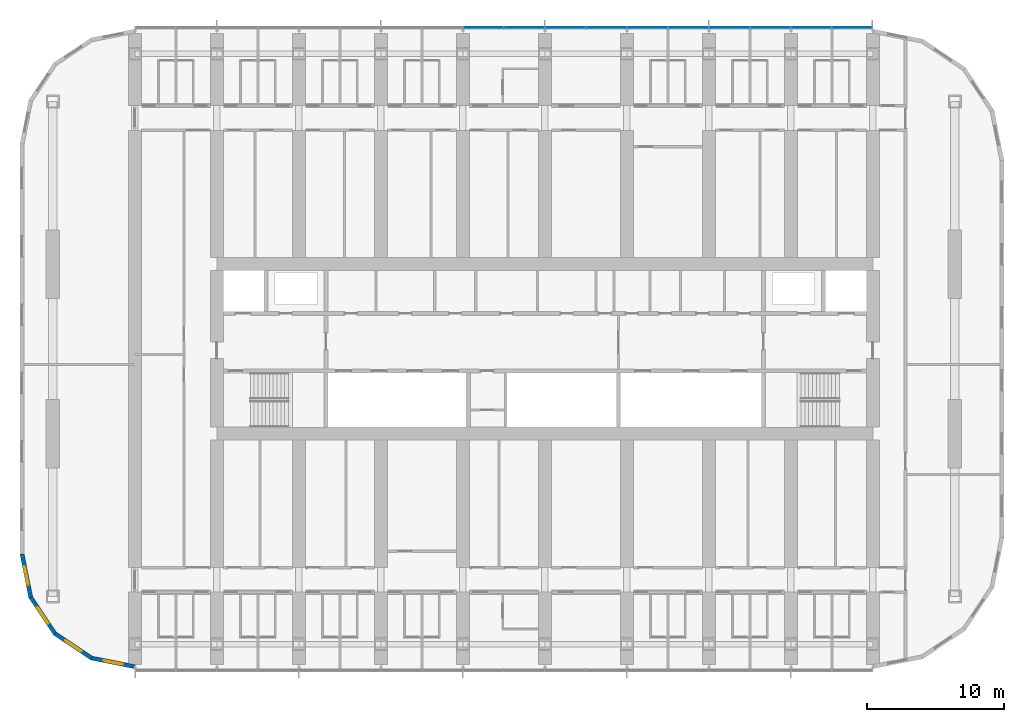
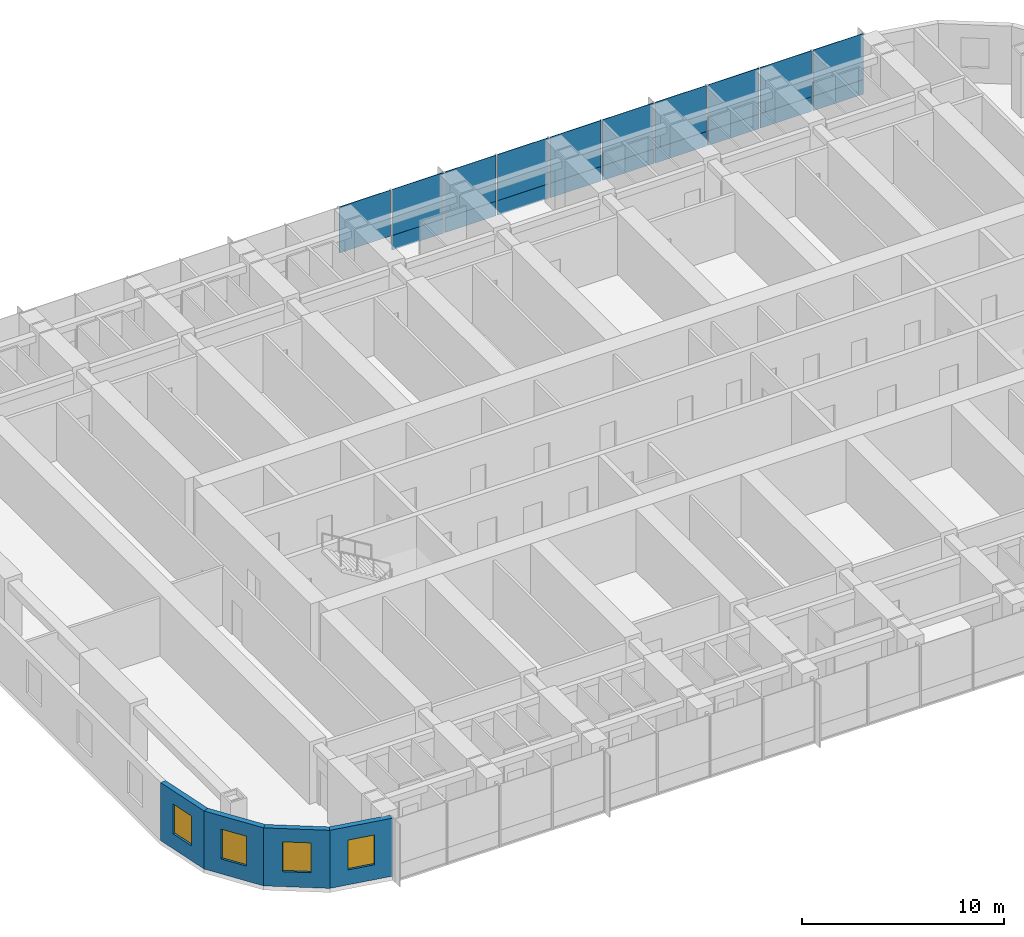
# One storey, part 7 of 22: 19 plates, 4 walls, 4 windows, 4 openings, 1 element without a shape of its own.
"""IFC4 building model written with IfcOpenShell, lengths in metres."""

from ifc_helpers import new_model, si_unit, direction, frame, frame_2d, origin, origin_2d, place, context, subcontext, project, spatial, polyline, rectangle, outline, extrude, material, layer, layer_set, type_object, element, fill, aggregate, save


model = new_model("IFC4")

# Units and contexts
model_context = context("Model", 3, precision=1e-05, world=origin(), true_north=direction((0.0, 1.0)))
body_context = subcontext(model_context, "Body", "Model", "MODEL_VIEW")
ifc_project = project(units=[si_unit("LENGTHUNIT", "METRE"), si_unit("AREAUNIT", "SQUARE_METRE"), si_unit("VOLUMEUNIT", "CUBIC_METRE"), si_unit("PLANEANGLEUNIT", "RADIAN"), si_unit("MASSUNIT", "GRAM", prefix="KILO")], contexts=[model_context])

# Site, building, storey
site_placement = place(None, origin())
site = spatial("IfcSite", under=ifc_project, at=site_placement, CompositionType="ELEMENT")
building_placement = place(site_placement, origin())
building = spatial("IfcBuilding", under=site, at=building_placement, Name="Orbita Commons", CompositionType="ELEMENT")
storey_placement = place(building_placement, frame((0.0, 0.0, 121.89990234375)))
storey = spatial("IfcBuildingStorey", under=building, at=storey_placement, Name="L30", CompositionType="ELEMENT", Elevation=121.89990234375)

# Curtain wall, plates
ifc_material_1 = material(Name="Anodised aluminium frame, pale silver", Category="aluminium")
curtain_wall_type = type_object("IfcCurtainWallType", Name="Unitised curtain wall CW-T, vision and spandrel", PredefinedType="NOTDEFINED", material=ifc_material_1)
curtain_wall_placement = place(storey_placement, origin())
curtain_wall = element("IfcCurtainWall", 1, at=curtain_wall_placement, inside=storey, type_object=curtain_wall_type, Name="Curtain wall north L30", PredefinedType="NOTDEFINED")
ifc_material_2 = material(Name="Anodised aluminium sheet on mineral wool", Category="aluminium")
ifc_layer_1 = layer(ifc_material_2, 0.050048828125)
ifc_layer_set_1 = layer_set([ifc_layer_1], Name="Anodised aluminium sheet on mineral wool")
plate_type_1 = type_object("IfcPlateType", Name="Spandrel panel, pale aluminium over insulation 50", PredefinedType="CURTAIN_PANEL", material=ifc_layer_set_1)
plate_1_placement = place(storey_placement, frame((64.47998046875, 55.510009765625, -0.14990234375), z_axis=(0.0, 0.0, 1.0), x_axis=(-1.0, 0.0, 0.0)))
plate_1 = element("IfcPlate", 2, at=plate_1_placement, type_object=plate_type_1, Name="Panel 1.1 CW-L30-N", PredefinedType="CURTAIN_PANEL", context=body_context, shape_type="SweptSolid", body=[
    extrude(rectangle(XDim=2.8798828125, YDim=0.050048828125, at=origin_2d()), origin(), (0.0, 0.0, 1.0), 0.875),
])
plate_2_placement = place(storey_placement, frame((61.5, 55.510009765625, -0.14990234375), z_axis=(0.0, 0.0, 1.0), x_axis=(-1.0, 0.0, 0.0)))
plate_2 = element("IfcPlate", 3, at=plate_2_placement, type_object=plate_type_1, Name="Panel 2.1 CW-L30-N", PredefinedType="CURTAIN_PANEL", context=body_context, shape_type="SweptSolid", body=[
    extrude(rectangle(XDim=2.919921875, YDim=0.050048828125, at=origin_2d()), origin(), (0.0, 0.0, 1.0), 0.875),
])
plate_3_placement = place(storey_placement, frame((58.5, 55.510009765625, -0.14990234375), z_axis=(0.0, 0.0, 1.0), x_axis=(-1.0, 0.0, 0.0)))
plate_3 = element("IfcPlate", 4, at=plate_3_placement, type_object=plate_type_1, Name="Panel 3.1 CW-L30-N", PredefinedType="CURTAIN_PANEL", context=body_context, shape_type="SweptSolid", body=[
    extrude(rectangle(XDim=2.919921875, YDim=0.050048828125, at=origin_2d()), origin(), (0.0, 0.0, 1.0), 0.875),
])
plate_4_placement = place(storey_placement, frame((55.5, 55.510009765625, -0.14990234375), z_axis=(0.0, 0.0, 1.0), x_axis=(-1.0, 0.0, 0.0)))
plate_4 = element("IfcPlate", 5, at=plate_4_placement, type_object=plate_type_1, Name="Panel 4.1 CW-L30-N", PredefinedType="CURTAIN_PANEL", context=body_context, shape_type="SweptSolid", body=[
    extrude(rectangle(XDim=2.919921875, YDim=0.050048828125, at=origin_2d()), origin(), (0.0, 0.0, 1.0), 0.875),
])
plate_5_placement = place(storey_placement, frame((52.5, 55.510009765625, -0.14990234375), z_axis=(0.0, 0.0, 1.0), x_axis=(-1.0, 0.0, 0.0)))
plate_5 = element("IfcPlate", 6, at=plate_5_placement, type_object=plate_type_1, Name="Panel 5.1 CW-L30-N", PredefinedType="CURTAIN_PANEL", context=body_context, shape_type="SweptSolid", body=[
    extrude(rectangle(XDim=2.919921875, YDim=0.050048828125, at=origin_2d()), origin(), (0.0, 0.0, 1.0), 0.875),
])
plate_6_placement = place(storey_placement, frame((49.5, 55.510009765625, -0.14990234375), z_axis=(0.0, 0.0, 1.0), x_axis=(-1.0, 0.0, 0.0)))
plate_6 = element("IfcPlate", 7, at=plate_6_placement, type_object=plate_type_1, Name="Panel 6.1 CW-L30-N", PredefinedType="CURTAIN_PANEL", context=body_context, shape_type="SweptSolid", body=[
    extrude(rectangle(XDim=2.919921875, YDim=0.050048828125, at=origin_2d()), origin(), (0.0, 0.0, 1.0), 0.875),
])
plate_7_placement = place(storey_placement, frame((46.5, 55.510009765625, -0.14990234375), z_axis=(0.0, 0.0, 1.0), x_axis=(-1.0, 0.0, 0.0)))
plate_7 = element("IfcPlate", 8, at=plate_7_placement, type_object=plate_type_1, Name="Panel 7.1 CW-L30-N", PredefinedType="CURTAIN_PANEL", context=body_context, shape_type="SweptSolid", body=[
    extrude(rectangle(XDim=2.919921875, YDim=0.050048828125, at=origin_2d()), origin(), (0.0, 0.0, 1.0), 0.875),
])
plate_8_placement = place(storey_placement, frame((43.5, 55.510009765625, -0.14990234375), z_axis=(0.0, 0.0, 1.0), x_axis=(-1.0, 0.0, 0.0)))
plate_8 = element("IfcPlate", 9, at=plate_8_placement, type_object=plate_type_1, Name="Panel 8.1 CW-L30-N", PredefinedType="CURTAIN_PANEL", context=body_context, shape_type="SweptSolid", body=[
    extrude(rectangle(XDim=2.919921875, YDim=0.050048828125, at=origin_2d()), origin(), (0.0, 0.0, 1.0), 0.875),
])
plate_9_placement = place(storey_placement, frame((40.5, 55.510009765625, -0.14990234375), z_axis=(0.0, 0.0, 1.0), x_axis=(-1.0, 0.0, 0.0)))
plate_9 = element("IfcPlate", 10, at=plate_9_placement, type_object=plate_type_1, Name="Panel 9.1 CW-L30-N", PredefinedType="CURTAIN_PANEL", context=body_context, shape_type="SweptSolid", body=[
    extrude(rectangle(XDim=2.919921875, YDim=0.050048828125, at=origin_2d()), origin(), (0.0, 0.0, 1.0), 0.875),
])
ifc_material_3 = material(Name="Clear double glazing", Category="glass")
ifc_layer_2 = layer(ifc_material_3, 0.031982421875)
ifc_layer_set_2 = layer_set([ifc_layer_2], Name="Clear double glazing")
plate_type_2 = type_object("IfcPlateType", Name="Vision panel, clear double glazing 32", PredefinedType="CURTAIN_PANEL", material=ifc_layer_set_2)
plate_10_placement = place(storey_placement, frame((64.47998046875, 55.510009765625, 0.72509765625), z_axis=(0.0, 0.0, 1.0), x_axis=(-1.0, 0.0, 0.0)))
plate_10 = element("IfcPlate", 11, at=plate_10_placement, type_object=plate_type_2, Name="Panel 1.2 CW-L30-N", PredefinedType="CURTAIN_PANEL", context=body_context, shape_type="SweptSolid", body=[
    extrude(rectangle(XDim=2.8798828125, YDim=0.031982421875, at=origin_2d()), origin(), (0.0, 0.0, 1.0), 2.77490234375),
])
plate_11_placement = place(storey_placement, frame((61.5, 55.510009765625, 0.72509765625), z_axis=(0.0, 0.0, 1.0), x_axis=(-1.0, 0.0, 0.0)))
plate_11 = element("IfcPlate", 12, at=plate_11_placement, type_object=plate_type_2, Name="Panel 2.2 CW-L30-N", PredefinedType="CURTAIN_PANEL", context=body_context, shape_type="SweptSolid", body=[
    extrude(rectangle(XDim=2.919921875, YDim=0.031982421875, at=origin_2d()), origin(), (0.0, 0.0, 1.0), 2.77490234375),
])
plate_12_placement = place(storey_placement, frame((58.5, 55.510009765625, 0.72509765625), z_axis=(0.0, 0.0, 1.0), x_axis=(-1.0, 0.0, 0.0)))
plate_12 = element("IfcPlate", 13, at=plate_12_placement, type_object=plate_type_2, Name="Panel 3.2 CW-L30-N", PredefinedType="CURTAIN_PANEL", context=body_context, shape_type="SweptSolid", body=[
    extrude(rectangle(XDim=2.919921875, YDim=0.031982421875, at=origin_2d()), origin(), (0.0, 0.0, 1.0), 2.77490234375),
])
plate_13_placement = place(storey_placement, frame((55.5, 55.510009765625, 0.72509765625), z_axis=(0.0, 0.0, 1.0), x_axis=(-1.0, 0.0, 0.0)))
plate_13 = element("IfcPlate", 14, at=plate_13_placement, type_object=plate_type_2, Name="Panel 4.2 CW-L30-N", PredefinedType="CURTAIN_PANEL", context=body_context, shape_type="SweptSolid", body=[
    extrude(rectangle(XDim=2.919921875, YDim=0.031982421875, at=origin_2d()), origin(), (0.0, 0.0, 1.0), 2.77490234375),
])
plate_14_placement = place(storey_placement, frame((52.5, 55.510009765625, 0.72509765625), z_axis=(0.0, 0.0, 1.0), x_axis=(-1.0, 0.0, 0.0)))
plate_14 = element("IfcPlate", 15, at=plate_14_placement, type_object=plate_type_2, Name="Panel 5.2 CW-L30-N", PredefinedType="CURTAIN_PANEL", context=body_context, shape_type="SweptSolid", body=[
    extrude(rectangle(XDim=2.919921875, YDim=0.031982421875, at=origin_2d()), origin(), (0.0, 0.0, 1.0), 2.77490234375),
])
plate_15_placement = place(storey_placement, frame((49.5, 55.510009765625, 0.72509765625), z_axis=(0.0, 0.0, 1.0), x_axis=(-1.0, 0.0, 0.0)))
plate_15 = element("IfcPlate", 16, at=plate_15_placement, type_object=plate_type_2, Name="Panel 6.2 CW-L30-N", PredefinedType="CURTAIN_PANEL", context=body_context, shape_type="SweptSolid", body=[
    extrude(rectangle(XDim=2.919921875, YDim=0.031982421875, at=origin_2d()), origin(), (0.0, 0.0, 1.0), 2.77490234375),
])
plate_16_placement = place(storey_placement, frame((46.5, 55.510009765625, 0.72509765625), z_axis=(0.0, 0.0, 1.0), x_axis=(-1.0, 0.0, 0.0)))
plate_16 = element("IfcPlate", 17, at=plate_16_placement, type_object=plate_type_2, Name="Panel 7.2 CW-L30-N", PredefinedType="CURTAIN_PANEL", context=body_context, shape_type="SweptSolid", body=[
    extrude(rectangle(XDim=2.919921875, YDim=0.031982421875, at=origin_2d()), origin(), (0.0, 0.0, 1.0), 2.77490234375),
])
plate_17_placement = place(storey_placement, frame((43.5, 55.510009765625, 0.72509765625), z_axis=(0.0, 0.0, 1.0), x_axis=(-1.0, 0.0, 0.0)))
plate_17 = element("IfcPlate", 18, at=plate_17_placement, type_object=plate_type_2, Name="Panel 8.2 CW-L30-N", PredefinedType="CURTAIN_PANEL", context=body_context, shape_type="SweptSolid", body=[
    extrude(rectangle(XDim=2.919921875, YDim=0.031982421875, at=origin_2d()), origin(), (0.0, 0.0, 1.0), 2.77490234375),
])
plate_18_placement = place(storey_placement, frame((40.5, 55.510009765625, 0.72509765625), z_axis=(0.0, 0.0, 1.0), x_axis=(-1.0, 0.0, 0.0)))
plate_18 = element("IfcPlate", 19, at=plate_18_placement, type_object=plate_type_2, Name="Panel 9.2 CW-L30-N", PredefinedType="CURTAIN_PANEL", context=body_context, shape_type="SweptSolid", body=[
    extrude(rectangle(XDim=2.919921875, YDim=0.031982421875, at=origin_2d()), origin(), (0.0, 0.0, 1.0), 2.77490234375),
])
plate_19_placement = place(storey_placement, frame((37.5, 55.510009765625, 0.72509765625), z_axis=(0.0, 0.0, 1.0), x_axis=(-1.0, 0.0, 0.0)))
plate_19 = element("IfcPlate", 20, at=plate_19_placement, type_object=plate_type_2, Name="Panel 10.2 CW-L30-N", PredefinedType="CURTAIN_PANEL", context=body_context, shape_type="SweptSolid", body=[
    extrude(rectangle(XDim=2.919921875, YDim=0.031982421875, at=origin_2d()), origin(), (0.0, 0.0, 1.0), 2.77490234375),
])
aggregate(curtain_wall, [plate_1, plate_10, plate_2, plate_11, plate_3, plate_12, plate_4, plate_13, plate_5, plate_14, plate_6, plate_15, plate_7, plate_16, plate_8, plate_17, plate_9, plate_18, plate_19])

# Wall, opening, window
ifc_material_4 = material(Name="Precast concrete C40/50, white board-marked finish", Category="concrete")
ifc_layer_3 = layer(ifc_material_4, 0.300048828125)
ifc_layer_set_3 = layer_set([ifc_layer_3], Name="Precast concrete C40/50, white board-marked finish")
wall_type = type_object("IfcWallType", Name="Precast concrete end shield 300", PredefinedType="SOLIDWALL", material=ifc_layer_set_3)
wall_1_placement = place(storey_placement, frame((3.75, 17.0, 0.0), z_axis=(0.0, 0.0, 1.0), x_axis=(0.195080412259, -0.980787251524, 0.0)))
wall_1 = element("IfcWall", 21, at=wall_1_placement, inside=storey, type_object=wall_type, Name="End shield SW chord 1 L30", PredefinedType="SOLIDWALL", context=body_context, shape_type="SweptSolid", body=[
    extrude(outline(polyline([(-0.014892578125, -0.14990234375), (3.24853515625, -0.14990234375), (3.18896484375, 0.14990234375), (0.014892578125, 0.14990234375), (-0.014892578125, -0.14990234375)])), origin(), (0.0, 0.0, 1.0), 3.5),
])
opening_1_placement = place(wall_1_placement, frame((0.909423828125, 0.0, 0.89990234375)))
opening_1 = element("IfcOpeningElement", 22, at=opening_1_placement, cuts=wall_1, Name="Opening W02", PredefinedType="OPENING", context=body_context, shape_type="SweptSolid", body=[
    extrude(rectangle(XDim=1.39990234375, YDim=1.800048828125, at=frame_2d((0.699951171875, 0.89990234375))), frame((0.0, 0.159912109375, 0.0), z_axis=(0.0, -1.0, 0.0), x_axis=(1.0, 0.0, 0.0)), (0.0, 0.0, 1.0), 0.320068359375),
])
ifc_material_5 = material(Name="Aluminium frame, clear double glazing", Category="aluminium")
window_type = type_object("IfcWindowType", Name="Deep-set window 1400x1800", PartitioningType="SINGLE_PANEL", PredefinedType="WINDOW", material=ifc_material_5)
window_1_placement = place(opening_1_placement, origin())
window_1 = element("IfcWindow", 23, at=window_1_placement, inside=storey, type_object=window_type, Name="Window L30-SW0", OverallHeight=1.800048828125, OverallWidth=1.39990234375, PartitioningType="SINGLE_PANEL", PredefinedType="WINDOW", context=body_context, shape_type="SweptSolid", body=[
    extrude(rectangle(XDim=1.39990234375, YDim=1.800048828125, at=frame_2d((0.699951171875, 0.89990234375))), frame((0.0, 0.030029296875, 0.0), z_axis=(0.0, -1.0, 0.0), x_axis=(1.0, 0.0, 0.0)), (0.0, 0.0, 1.0), 0.06005859375),
])
fill(opening_1, window_1)

wall_2_placement = place(storey_placement, frame((4.3779296875, 13.843017578125, 0.0), z_axis=(0.0, 0.0, 1.0), x_axis=(0.555609954424, -0.831443069936, 0.0)))
wall_2 = element("IfcWall", 24, at=wall_2_placement, inside=storey, type_object=wall_type, Name="End shield SW chord 2 L30", PredefinedType="SOLIDWALL", context=body_context, shape_type="SweptSolid", body=[
    extrude(outline(polyline([(-0.02978515625, -0.14990234375), (3.2490234375, -0.14990234375), (3.189453125, 0.14990234375), (0.02978515625, 0.14990234375), (-0.02978515625, -0.14990234375)])), origin(), (0.0, 0.0, 1.0), 3.5),
])
opening_2_placement = place(wall_2_placement, frame((0.909423828125, 0.0, 0.89990234375)))
opening_2 = element("IfcOpeningElement", 25, at=opening_2_placement, cuts=wall_2, Name="Opening W02", PredefinedType="OPENING", context=body_context, shape_type="SweptSolid", body=[
    extrude(rectangle(XDim=1.39990234375, YDim=1.800048828125, at=frame_2d((0.699951171875, 0.89990234375))), frame((0.0, 0.159912109375, 0.0), z_axis=(0.0, -1.0, 0.0), x_axis=(1.0, 0.0, 0.0)), (0.0, 0.0, 1.0), 0.320068359375),
])
window_2_placement = place(opening_2_placement, origin())
window_2 = element("IfcWindow", 26, at=window_2_placement, inside=storey, type_object=window_type, Name="Window L30-SW1", OverallHeight=1.800048828125, OverallWidth=1.39990234375, PartitioningType="SINGLE_PANEL", PredefinedType="WINDOW", context=body_context, shape_type="SweptSolid", body=[
    extrude(rectangle(XDim=1.39990234375, YDim=1.800048828125, at=frame_2d((0.699951171875, 0.89990234375))), frame((0.0, 0.030029296875, 0.0), z_axis=(0.0, -1.0, 0.0), x_axis=(1.0, 0.0, 0.0)), (0.0, 0.0, 1.0), 0.06005859375),
])
fill(opening_2, window_2)

wall_3_placement = place(storey_placement, frame((6.16650390625, 11.16650390625, 0.0), z_axis=(0.0, 0.0, 1.0), x_axis=(0.831443069936, -0.555609954424, 0.0)))
wall_3 = element("IfcWall", 27, at=wall_3_placement, inside=storey, type_object=wall_type, Name="End shield SW chord 3 L30", PredefinedType="SOLIDWALL", context=body_context, shape_type="SweptSolid", body=[
    extrude(outline(polyline([(-0.02978515625, -0.14990234375), (3.2490234375, -0.14990234375), (3.189453125, 0.14990234375), (0.02978515625, 0.14990234375), (-0.02978515625, -0.14990234375)])), origin(), (0.0, 0.0, 1.0), 3.5),
])
opening_3_placement = place(wall_3_placement, frame((0.909423828125, 0.0, 0.89990234375)))
opening_3 = element("IfcOpeningElement", 28, at=opening_3_placement, cuts=wall_3, Name="Opening W02", PredefinedType="OPENING", context=body_context, shape_type="SweptSolid", body=[
    extrude(rectangle(XDim=1.39990234375, YDim=1.800048828125, at=frame_2d((0.699951171875, 0.89990234375))), frame((0.0, 0.159912109375, 0.0), z_axis=(0.0, -1.0, 0.0), x_axis=(1.0, 0.0, 0.0)), (0.0, 0.0, 1.0), 0.320068359375),
])
window_3_placement = place(opening_3_placement, origin())
window_3 = element("IfcWindow", 29, at=window_3_placement, inside=storey, type_object=window_type, Name="Window L30-SW2", OverallHeight=1.800048828125, OverallWidth=1.39990234375, PartitioningType="SINGLE_PANEL", PredefinedType="WINDOW", context=body_context, shape_type="SweptSolid", body=[
    extrude(rectangle(XDim=1.39990234375, YDim=1.800048828125, at=frame_2d((0.699951171875, 0.89990234375))), frame((0.0, 0.030029296875, 0.0), z_axis=(0.0, -1.0, 0.0), x_axis=(1.0, 0.0, 0.0)), (0.0, 0.0, 1.0), 0.06005859375),
])
fill(opening_3, window_3)

wall_4_placement = place(storey_placement, frame((8.843017578125, 9.3779296875, 0.0), z_axis=(0.0, 0.0, 1.0), x_axis=(0.980787251524, -0.195080412259, 0.0)))
wall_4 = element("IfcWall", 30, at=wall_4_placement, inside=storey, type_object=wall_type, Name="End shield SW chord 4 L30", PredefinedType="SOLIDWALL", context=body_context, shape_type="SweptSolid", body=[
    extrude(outline(polyline([(-0.02978515625, -0.14990234375), (3.24853515625, -0.14990234375), (3.18896484375, 0.14990234375), (0.02978515625, 0.14990234375), (-0.02978515625, -0.14990234375)])), origin(), (0.0, 0.0, 1.0), 3.5),
])
opening_4_placement = place(wall_4_placement, frame((0.909423828125, 0.0, 0.89990234375)))
opening_4 = element("IfcOpeningElement", 31, at=opening_4_placement, cuts=wall_4, Name="Opening W02", PredefinedType="OPENING", context=body_context, shape_type="SweptSolid", body=[
    extrude(rectangle(XDim=1.39990234375, YDim=1.800048828125, at=frame_2d((0.699951171875, 0.89990234375))), frame((0.0, 0.159912109375, 0.0), z_axis=(0.0, -1.0, 0.0), x_axis=(1.0, 0.0, 0.0)), (0.0, 0.0, 1.0), 0.320068359375),
])
window_4_placement = place(opening_4_placement, origin())
window_4 = element("IfcWindow", 32, at=window_4_placement, inside=storey, type_object=window_type, Name="Window L30-SW3", OverallHeight=1.800048828125, OverallWidth=1.39990234375, PartitioningType="SINGLE_PANEL", PredefinedType="WINDOW", context=body_context, shape_type="SweptSolid", body=[
    extrude(rectangle(XDim=1.39990234375, YDim=1.800048828125, at=frame_2d((0.699951171875, 0.89990234375))), frame((0.0, 0.030029296875, 0.0), z_axis=(0.0, -1.0, 0.0), x_axis=(1.0, 0.0, 0.0)), (0.0, 0.0, 1.0), 0.06005859375),
])
fill(opening_4, window_4)

save(model, "model.ifc")
